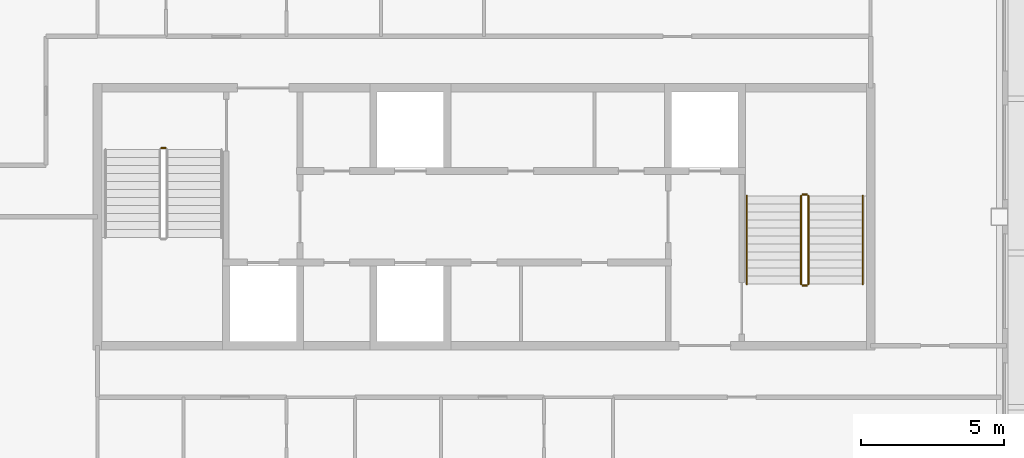
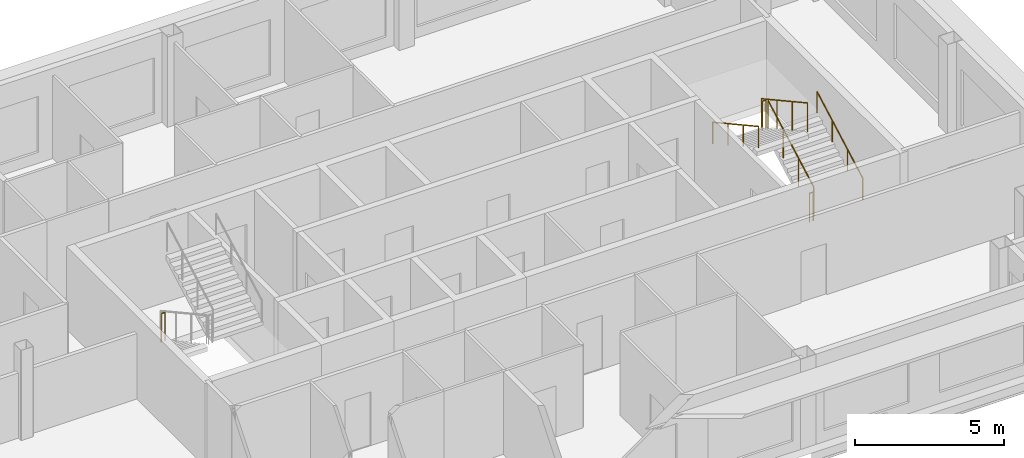
# One storey, part 11 of 11: 7 railings.
"""IFC4 building model written with IfcOpenShell, lengths in metres."""

from ifc_helpers import new_model, si_unit, direction, frame, origin, origin_2d, place, context, subcontext, project, spatial, circle, extrude, material, type_object, element, save


model = new_model("IFC4")

# Units and contexts
model_context = context("Model", 3, precision=1e-05, world=origin(), true_north=direction((0.0, 1.0)))
body_context = subcontext(model_context, "Body", "Model", "MODEL_VIEW")
ifc_project = project(units=[si_unit("LENGTHUNIT", "METRE"), si_unit("AREAUNIT", "SQUARE_METRE"), si_unit("VOLUMEUNIT", "CUBIC_METRE"), si_unit("PLANEANGLEUNIT", "RADIAN"), si_unit("MASSUNIT", "GRAM", prefix="KILO")], contexts=[model_context])

# Site, building, storey
site_placement = place(None, origin())
site = spatial("IfcSite", under=ifc_project, at=site_placement, CompositionType="ELEMENT")
building_placement = place(site_placement, origin())
building = spatial("IfcBuilding", under=site, at=building_placement, Name="Caravel Reach Hotel and Residences", CompositionType="ELEMENT")
storey_placement = place(building_placement, frame((0.0, 0.0, 249.0)))
storey = spatial("IfcBuildingStorey", under=building, at=storey_placement, Name="L63", CompositionType="ELEMENT", Elevation=249.0)

# Railings
ifc_material_1 = material(Name="Steel balustrade with glass infill", Category="steel")
railing_type_1 = type_object("IfcRailingType", Name="Guard 1200", PredefinedType="GUARDRAIL", material=ifc_material_1)
railing_1_placement = place(storey_placement, frame((20.22509765625, 29.39990234375, 0.0)))
element("IfcRailing", 1, at=railing_1_placement, inside=storey, type_object=railing_type_1, Name="L63 ST-A stair guard 4", PredefinedType="GUARDRAIL", context=body_context, shape_type="SweptSolid", body=[
    extrude(circle(Radius=0.02392578125, at=origin_2d()), frame((0.0, 0.0, 1.17578125), z_axis=(1.0, 0.0, 0.0), x_axis=(0.0, 1.0, 0.0)), (0.0, 0.0, 1.0), 0.14990234375),
    extrude(circle(Radius=0.02099609375, at=origin_2d()), origin(), (0.0, 0.0, 1.0), 1.15185546875),
    extrude(circle(Radius=0.02099609375, at=origin_2d()), frame((0.14990234375, 0.0, 0.0)), (0.0, 0.0, 1.0), 1.15185546875),
])
railing_2_placement = place(storey_placement, frame((42.824951171875, 24.64990234375, 0.154052734375)))
element("IfcRailing", 2, at=railing_2_placement, inside=storey, type_object=railing_type_1, Name="L63 ST-B stair guard 1", PredefinedType="GUARDRAIL", context=body_context, shape_type="SweptSolid", body=[
    extrude(circle(Radius=0.02392578125, at=origin_2d()), frame((0.0, 0.0, 1.17578125), z_axis=(0.0, 0.875975380505, 0.482355815502), x_axis=(-1.0, 0.0, 0.0)), (0.0, 0.0, 1.0), 3.51611328125),
    extrude(circle(Radius=0.02099609375, at=origin_2d()), origin(), (0.0, 0.0, 1.0), 1.15185546875),
    extrude(circle(Radius=0.02099609375, at=origin_2d()), frame((0.0, 1.026611328125, 0.5654296875)), (0.0, 0.0, 1.0), 1.15185546875),
    extrude(circle(Radius=0.02099609375, at=origin_2d()), frame((0.0, 2.053466796875, 1.130615234375)), (0.0, 0.0, 1.0), 1.15185546875),
    extrude(circle(Radius=0.02099609375, at=origin_2d()), frame((0.0, 3.080078125, 1.696044921875)), (0.0, 0.0, 1.0), 1.15185546875),
])
railing_3_placement = place(storey_placement, frame((42.77490234375, 27.780029296875, 1.85009765625)))
element("IfcRailing", 3, at=railing_3_placement, inside=storey, type_object=railing_type_1, Name="L63 ST-B stair guard 2", PredefinedType="GUARDRAIL", context=body_context, shape_type="SweptSolid", body=[
    extrude(circle(Radius=0.02392578125, at=origin_2d()), frame((0.0, 0.0, 1.17578125), z_axis=(-1.0, 0.0, 0.0), x_axis=(0.0, -1.0, 0.0)), (0.0, 0.0, 1.0), 0.14990234375),
    extrude(circle(Radius=0.02099609375, at=origin_2d()), origin(), (0.0, 0.0, 1.0), 1.15185546875),
    extrude(circle(Radius=0.02099609375, at=origin_2d()), frame((-0.14990234375, 0.0, 0.0)), (0.0, 0.0, 1.0), 1.15185546875),
])
railing_4_placement = place(storey_placement, frame((42.574951171875, 27.72998046875, 2.004150390625)))
element("IfcRailing", 4, at=railing_4_placement, inside=storey, type_object=railing_type_1, Name="L63 ST-B stair guard 3", PredefinedType="GUARDRAIL", context=body_context, shape_type="SweptSolid", body=[
    extrude(circle(Radius=0.02392578125, at=origin_2d()), frame((0.0, 0.0, 1.17578125), z_axis=(0.0, -0.876004717809, 0.482302534076), x_axis=(1.0, 0.0, 0.0)), (0.0, 0.0, 1.0), 3.51611328125),
    extrude(circle(Radius=0.02099609375, at=origin_2d()), origin(), (0.0, 0.0, 1.0), 1.15185546875),
    extrude(circle(Radius=0.02099609375, at=origin_2d()), frame((0.0, -1.026611328125, 0.565185546875)), (0.0, 0.0, 1.0), 1.15185546875),
    extrude(circle(Radius=0.02099609375, at=origin_2d()), frame((0.0, -2.053466796875, 1.130615234375)), (0.0, 0.0, 1.0), 1.15185546875),
    extrude(circle(Radius=0.02099609375, at=origin_2d()), frame((0.0, -3.080078125, 1.69580078125)), (0.0, 0.0, 1.0), 1.15185546875),
])
railing_5_placement = place(storey_placement, frame((42.77490234375, 24.60009765625, 0.0)))
element("IfcRailing", 5, at=railing_5_placement, inside=storey, type_object=railing_type_1, Name="L63 ST-B stair guard 4", PredefinedType="GUARDRAIL", context=body_context, shape_type="SweptSolid", body=[
    extrude(circle(Radius=0.02392578125, at=origin_2d()), frame((0.0, 0.0, 1.17578125), z_axis=(-1.0, 0.0, 0.0), x_axis=(0.0, -1.0, 0.0)), (0.0, 0.0, 1.0), 0.14990234375),
    extrude(circle(Radius=0.02099609375, at=origin_2d()), origin(), (0.0, 0.0, 1.0), 1.15185546875),
    extrude(circle(Radius=0.02099609375, at=origin_2d()), frame((-0.14990234375, 0.0, 0.0)), (0.0, 0.0, 1.0), 1.15185546875),
])
ifc_material_2 = material(Name="Stainless steel handrail", Category="steel")
railing_type_2 = type_object("IfcRailingType", Name="Handrail 900", PredefinedType="HANDRAIL", material=ifc_material_2)
railing_6_placement = place(storey_placement, frame((44.72509765625, 24.64990234375, 0.154052734375)))
element("IfcRailing", 6, at=railing_6_placement, inside=storey, type_object=railing_type_2, Name="L63 ST-B stair handrail 1", PredefinedType="HANDRAIL", context=body_context, shape_type="SweptSolid", body=[
    extrude(circle(Radius=0.02392578125, at=origin_2d()), frame((0.0, 0.0, 0.8759765625), z_axis=(0.0, 0.875975380505, 0.482355815502), x_axis=(-1.0, 0.0, 0.0)), (0.0, 0.0, 1.0), 3.51611328125),
    extrude(circle(Radius=0.02099609375, at=origin_2d()), origin(), (0.0, 0.0, 1.0), 0.851806640625),
    extrude(circle(Radius=0.02099609375, at=origin_2d()), frame((0.0, 1.026611328125, 0.5654296875)), (0.0, 0.0, 1.0), 0.851806640625),
    extrude(circle(Radius=0.02099609375, at=origin_2d()), frame((0.0, 2.053466796875, 1.130615234375)), (0.0, 0.0, 1.0), 0.851806640625),
    extrude(circle(Radius=0.02099609375, at=origin_2d()), frame((0.0, 3.080078125, 1.696044921875)), (0.0, 0.0, 1.0), 0.851806640625),
])
railing_7_placement = place(storey_placement, frame((40.675048828125, 27.72998046875, 2.004150390625)))
element("IfcRailing", 7, at=railing_7_placement, inside=storey, type_object=railing_type_2, Name="L63 ST-B stair handrail 2", PredefinedType="HANDRAIL", context=body_context, shape_type="SweptSolid", body=[
    extrude(circle(Radius=0.02392578125, at=origin_2d()), frame((0.0, 0.0, 0.8759765625), z_axis=(0.0, -0.876004717809, 0.482302534076), x_axis=(1.0, 0.0, 0.0)), (0.0, 0.0, 1.0), 3.51611328125),
    extrude(circle(Radius=0.02099609375, at=origin_2d()), origin(), (0.0, 0.0, 1.0), 0.851806640625),
    extrude(circle(Radius=0.02099609375, at=origin_2d()), frame((0.0, -1.026611328125, 0.565185546875)), (0.0, 0.0, 1.0), 0.851806640625),
    extrude(circle(Radius=0.02099609375, at=origin_2d()), frame((0.0, -2.053466796875, 1.130615234375)), (0.0, 0.0, 1.0), 0.851806640625),
    extrude(circle(Radius=0.02099609375, at=origin_2d()), frame((0.0, -3.080078125, 1.69580078125)), (0.0, 0.0, 1.0), 0.851806640625),
])

save(model, "model.ifc")
